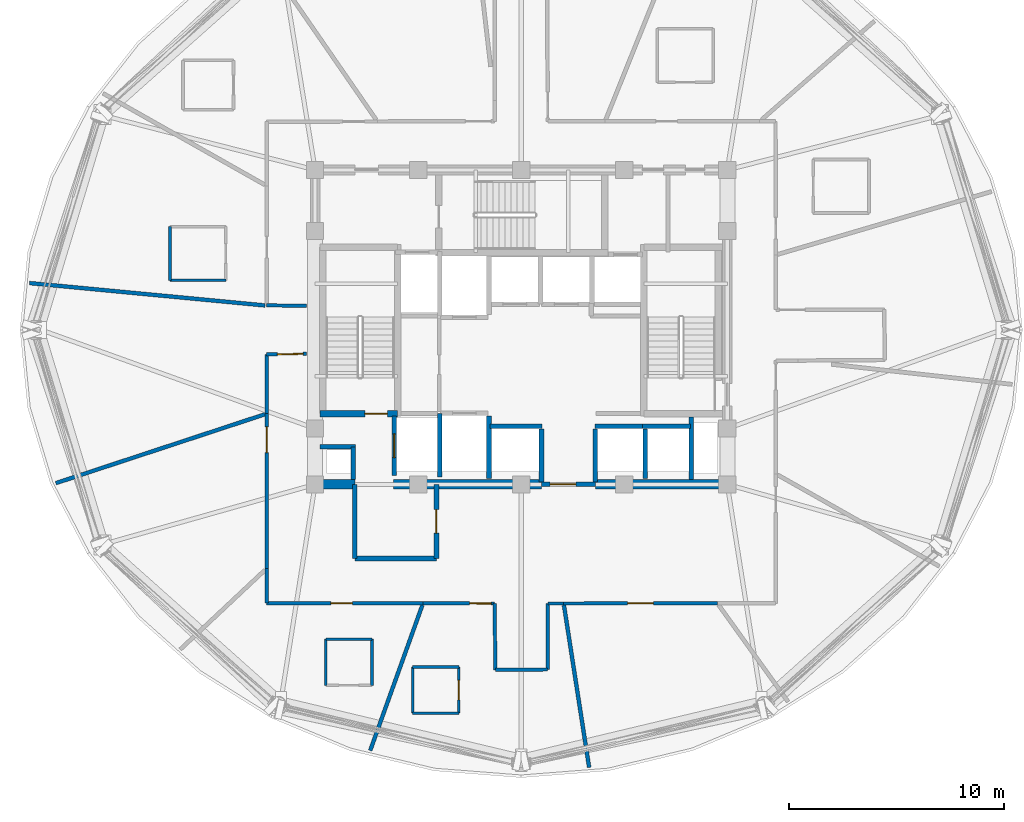
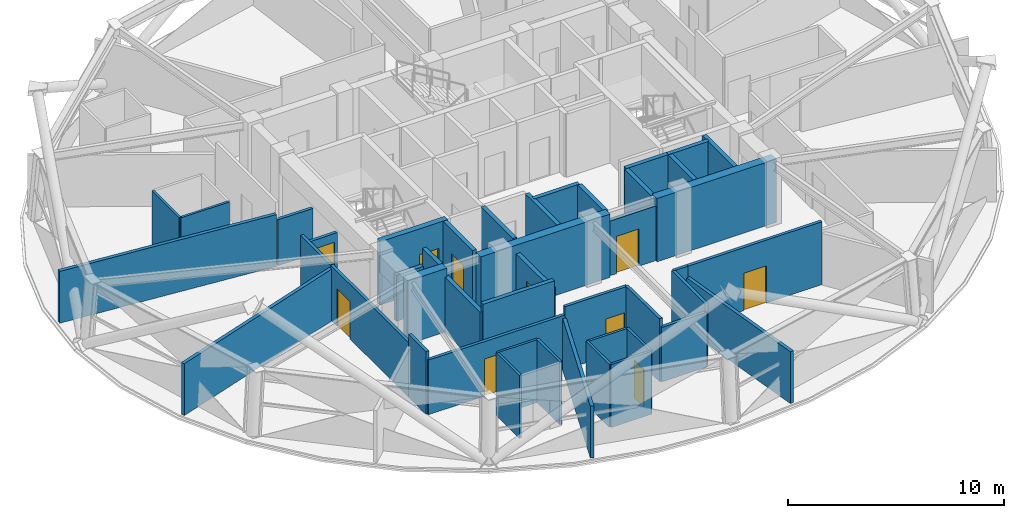
# One storey, part 5 of 12: 45 walls, 10 doors, 10 openings.
"""IFC4 building model written with IfcOpenShell, lengths in metres."""

from ifc_helpers import new_model, si_unit, direction, frame, frame_2d, origin, place, context, subcontext, project, spatial, rectangle, extrude, material, layer, layer_set, type_object, element, fill, save


model = new_model("IFC4")

# Units and contexts
model_context = context("Model", 3, precision=1e-05, world=origin(), true_north=direction((0.0, 1.0)))
body_context = subcontext(model_context, "Body", "Model", "MODEL_VIEW")
ifc_project = project(units=[si_unit("LENGTHUNIT", "METRE"), si_unit("AREAUNIT", "SQUARE_METRE"), si_unit("VOLUMEUNIT", "CUBIC_METRE"), si_unit("PLANEANGLEUNIT", "RADIAN"), si_unit("MASSUNIT", "GRAM", prefix="KILO")], contexts=[model_context])

# Site, building, storey
site_placement = place(None, origin())
site = spatial("IfcSite", under=ifc_project, at=site_placement, CompositionType="ELEMENT")
building_placement = place(site_placement, origin())
building = spatial("IfcBuilding", under=site, at=building_placement, Name="Vantalir Tower", CompositionType="ELEMENT")
storey_placement = place(building_placement, frame((0.0, 0.0, 197.39990234375)))
storey = spatial("IfcBuildingStorey", under=building, at=storey_placement, Name="L49", CompositionType="ELEMENT", Elevation=197.39990234375)

# Walls
ifc_material_1 = material(Name="Moisture-resistant en-suite partition", Category="gypsum")
ifc_layer_1 = layer(ifc_material_1, 0.125)
ifc_layer_set_1 = layer_set([ifc_layer_1], Name="Moisture-resistant en-suite partition")
wall_type_1 = type_object("IfcWallType", Name="WL-BATH-125", PredefinedType="PARTITIONING", material=ifc_layer_set_1)
wall_1_placement = place(storey_placement, frame((15.135986328125, 27.30908203125, 0.0), z_axis=(0.0, 0.0, 1.0), x_axis=(1.0, 0.0, 0.0)))
element("IfcWall", 1, at=wall_1_placement, inside=storey, type_object=wall_type_1, Name="L49 En-suite 06 South Wall", PredefinedType="PARTITIONING", context=body_context, shape_type="SweptSolid", body=[
    extrude(rectangle(XDim=2.60009765625, YDim=0.125, at=frame_2d((1.300048828125, 0.0))), origin(), (0.0, 0.0, 1.0), 3.550048828125),
])
wall_2_placement = place(storey_placement, frame((15.135986328125, 27.30908203125, 0.0), z_axis=(0.0, 0.0, 1.0), x_axis=(0.0, 1.0, 0.0)))
element("IfcWall", 2, at=wall_2_placement, inside=storey, type_object=wall_type_1, Name="L49 En-suite 06 West Wall", PredefinedType="PARTITIONING", context=body_context, shape_type="SweptSolid", body=[
    extrude(rectangle(XDim=2.5, YDim=0.125, at=frame_2d((1.25, 0.0))), origin(), (0.0, 0.0, 1.0), 3.550048828125),
])
for number, where, z_axis, x_axis, name in (
    (3, (22.39697265625, 10.591064453125, 0.0), (0.0, 0.0, 1.0), (1.0, 0.0, 0.0), "L49 En-suite 09 North Wall"),
    (4, (22.39697265625, 8.44091796875, 0.0), (0.0, 0.0, 1.0), (0.0, 1.0, 0.0), "L49 En-suite 09 West Wall"),
    (5, (24.547119140625, 8.44091796875, 0.0), (0.0, 0.0, 1.0), (0.0, 1.0, 0.0), "L49 En-suite 09 East Wall"),
    (6, (26.44189453125, 7.137939453125, 0.0), (0.0, 0.0, 1.0), (1.0, 0.0, 0.0), "L49 En-suite 10 South Wall"),
    (7, (26.44189453125, 9.2880859375, 0.0), (0.0, 0.0, 1.0), (1.0, 0.0, 0.0), "L49 En-suite 10 North Wall"),
    (8, (26.44189453125, 7.137939453125, 0.0), (0.0, 0.0, 1.0), (0.0, 1.0, 0.0), "L49 En-suite 10 West Wall"),
):
    element("IfcWall", number, at=place(storey_placement, frame(where, z_axis=z_axis, x_axis=x_axis)), inside=storey, type_object=wall_type_1, Name=name, PredefinedType="PARTITIONING", context=body_context, shape_type="SweptSolid", body=[
        extrude(rectangle(XDim=2.150146484375, YDim=0.125, at=frame_2d((1.0751953125, 0.0))), origin(), (0.0, 0.0, 1.0), 3.550048828125),
    ])

# Wall, opening, door
wall_3_placement = place(storey_placement, frame((28.592041015625, 7.137939453125, 0.0), z_axis=(0.0, 0.0, 1.0), x_axis=(0.0, 1.0, 0.0)))
wall_3 = element("IfcWall", 9, at=wall_3_placement, inside=storey, type_object=wall_type_1, Name="L49 En-suite 10 East Wall", PredefinedType="PARTITIONING", context=body_context, shape_type="SweptSolid", body=[
    extrude(rectangle(XDim=2.150146484375, YDim=0.125, at=frame_2d((1.0751953125, 0.0))), origin(), (0.0, 0.0, 1.0), 3.550048828125),
])
opening_1_placement = place(wall_3_placement, frame((0.625, 0.0, 0.0)))
opening_1 = element("IfcOpeningElement", 10, at=opening_1_placement, cuts=wall_3, Name="Opening D-WC", PredefinedType="OPENING", context=body_context, shape_type="SweptSolid", body=[
    extrude(rectangle(XDim=0.89990234375, YDim=2.10009765625, at=frame_2d((0.449951171875, 1.050048828125))), frame((0.0, 0.072509765625, 0.0), z_axis=(0.0, -1.0, 0.0), x_axis=(1.0, 0.0, 0.0)), (0.0, 0.0, 1.0), 0.14501953125),
])
ifc_material_2 = material(Name="Moisture-resistant hardwood door", Category="wood")
door_type_1 = type_object("IfcDoorType", Name="DR-ENSUITE-900", OperationType="NOTDEFINED", PredefinedType="DOOR", material=ifc_material_2)
door_1_placement = place(opening_1_placement, origin())
door_1 = element("IfcDoor", 11, at=door_1_placement, inside=storey, type_object=door_type_1, Name="L49 En-suite 10 Door", OperationType="SINGLE_SWING_RIGHT", OverallHeight=2.10009765625, OverallWidth=0.89990234375, PredefinedType="DOOR", context=body_context, shape_type="SweptSolid", body=[
    extrude(rectangle(XDim=0.89990234375, YDim=2.10009765625, at=frame_2d((0.449951171875, 1.050048828125))), frame((0.0, 0.02490234375, 0.0), z_axis=(0.0, -1.0, 0.0), x_axis=(1.0, 0.0, 0.0)), (0.0, 0.0, 1.0), 0.050048828125),
])
fill(opening_1, door_1)

# Walls
ifc_material_3 = material(Name="Concrete C50/60", Category="concrete")
ifc_layer_2 = layer(ifc_material_3, 0.449951171875)
ifc_layer_set_2 = layer_set([ifc_layer_2], Name="Concrete C50/60")
wall_type_2 = type_object("IfcWallType", Name="WL-CORE-450", PredefinedType="SHEAR", material=ifc_layer_set_2)
wall_4_placement = place(storey_placement, frame((21.675048828125, 17.800048828125, 0.0), z_axis=(0.0, 0.0, 1.0), x_axis=(1.0, 0.0, 0.0)))
element("IfcWall", 12, at=wall_4_placement, inside=storey, type_object=wall_type_2, Name="L49 Core Shear Wall South-West", PredefinedType="SHEAR", context=body_context, shape_type="SweptSolid", body=[
    extrude(rectangle(XDim=2.074951171875, YDim=0.449951171875, at=frame_2d((1.03759765625, 0.0))), origin(), (0.0, 0.0, 1.0), 3.570068359375),
])
wall_5_placement = place(storey_placement, frame((25.550048828125, 17.800048828125, 0.0), z_axis=(0.0, 0.0, 1.0), x_axis=(1.0, 0.0, 0.0)))
element("IfcWall", 13, at=wall_5_placement, inside=storey, type_object=wall_type_2, Name="L49 Core Shear Wall South-Mid", PredefinedType="SHEAR", context=body_context, shape_type="SweptSolid", body=[
    extrude(rectangle(XDim=6.89990234375, YDim=0.449951171875, at=frame_2d((3.449951171875, 0.0))), origin(), (0.0, 0.0, 1.0), 3.570068359375),
])
wall_6_placement = place(storey_placement, frame((34.949951171875, 17.800048828125, 0.0), z_axis=(0.0, 0.0, 1.0), x_axis=(1.0, 0.0, 0.0)))
element("IfcWall", 14, at=wall_6_placement, inside=storey, type_object=wall_type_2, Name="L49 Core Shear Wall South-East", PredefinedType="SHEAR", context=body_context, shape_type="SweptSolid", body=[
    extrude(rectangle(XDim=6.375, YDim=0.449951171875, at=frame_2d((3.1875, 0.0))), origin(), (0.0, 0.0, 1.0), 3.570068359375),
])
ifc_material_4 = material(Name="Fire-rated hotel corridor acoustic partition", Category="gypsum")
ifc_layer_3 = layer(ifc_material_4, 0.159912109375)
ifc_layer_set_3 = layer_set([ifc_layer_3], Name="Fire-rated hotel corridor acoustic partition")
wall_type_3 = type_object("IfcWallType", Name="WL-CORR-160", PredefinedType="PARTITIONING", material=ifc_layer_set_3)
wall_7_placement = place(storey_placement, frame((21.4951171875, 26.116943359375, 0.0), z_axis=(0.0, 0.0, 1.0), x_axis=(-0.999908537082, 0.013524698532, 0.0)))
element("IfcWall", 15, at=wall_7_placement, inside=storey, type_object=wall_type_3, Name="L49 Corridor Partition 01", PredefinedType="PARTITIONING", context=body_context, shape_type="SweptSolid", body=[
    extrude(rectangle(XDim=1.859375, YDim=0.159912109375, at=frame_2d((0.9296875, 0.0))), origin(), (0.0, 0.0, 1.0), 2.59521484375),
])

# Wall, opening, door
wall_8_placement = place(storey_placement, frame((40.64306640625, 12.257080078125, 0.0), z_axis=(0.0, 0.0, 1.0), x_axis=(-0.999999636981, -0.000852078764, 0.0)))
wall_8 = element("IfcWall", 16, at=wall_8_placement, inside=storey, type_object=wall_type_3, Name="L49 Corridor Partition 22", PredefinedType="PARTITIONING", context=body_context, shape_type="SweptSolid", body=[
    extrude(rectangle(XDim=7.1630859375, YDim=0.159912109375, at=frame_2d((3.58154296875, 0.0))), origin(), (0.0, 0.0, 1.0), 3.550048828125),
])
opening_2_placement = place(wall_8_placement, frame((2.98193359375, 0.0, 0.0)))
opening_2 = element("IfcOpeningElement", 17, at=opening_2_placement, cuts=wall_8, Name="Opening D-STE", PredefinedType="OPENING", context=body_context, shape_type="SweptSolid", body=[
    extrude(rectangle(XDim=1.199951171875, YDim=2.10009765625, at=frame_2d((0.60009765625, 1.050048828125))), frame((0.0, 0.08984375, 0.0), z_axis=(0.0, -1.0, 0.0), x_axis=(1.0, 0.0, 0.0)), (0.0, 0.0, 1.0), 0.179931640625),
])
ifc_material_5 = material(Name="Solid-core teak veneer suite entrance door", Category="wood")
door_type_2 = type_object("IfcDoorType", Name="DR-SUITE-ENTRY-1200", OperationType="NOTDEFINED", PredefinedType="DOOR", material=ifc_material_5)
door_2_placement = place(opening_2_placement, origin())
door_2 = element("IfcDoor", 18, at=door_2_placement, inside=storey, type_object=door_type_2, Name="L49 Club Reading Lounge 11 Door", OperationType="SINGLE_SWING_RIGHT", OverallHeight=2.10009765625, OverallWidth=1.199951171875, PredefinedType="DOOR", context=body_context, shape_type="SweptSolid", body=[
    extrude(rectangle(XDim=1.199951171875, YDim=2.10009765625, at=frame_2d((0.60009765625, 1.050048828125))), frame((0.0, 0.02490234375, 0.0), z_axis=(0.0, -1.0, 0.0), x_axis=(1.0, 0.0, 0.0)), (0.0, 0.0, 1.0), 0.050048828125),
])
fill(opening_2, door_2)

# Walls
wall_9_placement = place(storey_placement, frame((33.47998046875, 12.2509765625, 0.0), z_axis=(0.0, 0.0, 1.0), x_axis=(-0.999999129202, -0.001319695321, 0.0)))
element("IfcWall", 19, at=wall_9_placement, inside=storey, type_object=wall_type_3, Name="L49 Corridor Partition 23", PredefinedType="PARTITIONING", context=body_context, shape_type="SweptSolid", body=[
    extrude(rectangle(XDim=0.739990234375, YDim=0.159912109375, at=frame_2d((0.3701171875, 0.0))), origin(), (0.0, 0.0, 1.0), 3.550048828125),
])
wall_10_placement = place(storey_placement, frame((32.739990234375, 12.25, 0.0), z_axis=(0.0, 0.0, 1.0), x_axis=(-0.002937661004, -0.999995685065, 0.0)))
element("IfcWall", 20, at=wall_10_placement, inside=storey, type_object=wall_type_3, Name="L49 Corridor Partition 24", PredefinedType="PARTITIONING", context=body_context, shape_type="SweptSolid", body=[
    extrude(rectangle(XDim=3.074951171875, YDim=0.159912109375, at=frame_2d((1.53759765625, 0.0))), origin(), (0.0, 0.0, 1.0), 3.550048828125),
])
wall_11_placement = place(storey_placement, frame((32.73095703125, 9.175048828125, 0.0), z_axis=(0.0, 0.0, 1.0), x_axis=(-0.999980680225, -0.006216041926, 0.0)))
element("IfcWall", 21, at=wall_11_placement, inside=storey, type_object=wall_type_3, Name="L49 Corridor Partition 25", PredefinedType="PARTITIONING", context=body_context, shape_type="SweptSolid", body=[
    extrude(rectangle(XDim=2.43505859375, YDim=0.159912109375, at=frame_2d((1.217529296875, 0.0))), origin(), (0.0, 0.0, 1.0), 3.0810546875),
])
wall_12_placement = place(storey_placement, frame((30.2958984375, 9.159912109375, 0.0), z_axis=(0.0, 0.0, 1.0), x_axis=(-0.011613343347, 0.999932562854, 0.0)))
element("IfcWall", 22, at=wall_12_placement, inside=storey, type_object=wall_type_3, Name="L49 Corridor Partition 26", PredefinedType="PARTITIONING", context=body_context, shape_type="SweptSolid", body=[
    extrude(rectangle(XDim=3.09033203125, YDim=0.159912109375, at=frame_2d((1.545166015625, 0.0))), origin(), (0.0, 0.0, 1.0), 3.550048828125),
])

# Wall, opening, door
wall_13_placement = place(storey_placement, frame((30.260009765625, 12.25, 0.0), z_axis=(0.0, 0.0, 1.0), x_axis=(-0.999997745151, 0.002123603882, 0.0)))
wall_13 = element("IfcWall", 23, at=wall_13_placement, inside=storey, type_object=wall_type_3, Name="L49 Corridor Partition 27", PredefinedType="PARTITIONING", context=body_context, shape_type="SweptSolid", body=[
    extrude(rectangle(XDim=3.333984375, YDim=0.159912109375, at=frame_2d((1.6669921875, 0.0))), origin(), (0.0, 0.0, 1.0), 3.550048828125),
])
opening_3_placement = place(wall_13_placement, frame((0.159912109375, 0.0, 0.0)))
opening_3 = element("IfcOpeningElement", 24, at=opening_3_placement, cuts=wall_13, Name="Opening D-GUEST", PredefinedType="OPENING", context=body_context, shape_type="SweptSolid", body=[
    extrude(rectangle(XDim=1.0, YDim=2.10009765625, at=frame_2d((0.5, 1.050048828125))), frame((0.0, 0.08984375, 0.0), z_axis=(0.0, -1.0, 0.0), x_axis=(1.0, 0.0, 0.0)), (0.0, 0.0, 1.0), 0.179931640625),
])
ifc_material_6 = material(Name="Solid-core teak veneer acoustic fire door", Category="wood")
door_type_3 = type_object("IfcDoorType", Name="DR-GUEST-ENTRY-1000", OperationType="NOTDEFINED", PredefinedType="DOOR", material=ifc_material_6)
door_3_placement = place(opening_3_placement, origin())
door_3 = element("IfcDoor", 25, at=door_3_placement, inside=storey, type_object=door_type_3, Name="L49 Deluxe King Hotel Room 10 Door", OperationType="SINGLE_SWING_LEFT", OverallHeight=2.10009765625, OverallWidth=1.0, PredefinedType="DOOR", context=body_context, shape_type="SweptSolid", body=[
    extrude(rectangle(XDim=1.0, YDim=2.10009765625, at=frame_2d((0.5, 1.050048828125))), frame((0.0, 0.02490234375, 0.0), z_axis=(0.0, -1.0, 0.0), x_axis=(1.0, 0.0, 0.0)), (0.0, 0.0, 1.0), 0.050048828125),
])
fill(opening_3, door_3)

wall_14_placement = place(storey_placement, frame((26.926025390625, 12.257080078125, 0.0), z_axis=(0.0, 0.0, 1.0), x_axis=(-0.999998176086, 0.001909928161, 0.0)))
wall_14 = element("IfcWall", 26, at=wall_14_placement, inside=storey, type_object=wall_type_3, Name="L49 Corridor Partition 28", PredefinedType="PARTITIONING", context=body_context, shape_type="SweptSolid", body=[
    extrude(rectangle(XDim=7.2861328125, YDim=0.159912109375, at=frame_2d((3.64306640625, 0.0))), origin(), (0.0, 0.0, 1.0), 3.0810546875),
])
opening_4_placement = place(wall_14_placement, frame((3.2919921875, 0.0, 0.0)))
opening_4 = element("IfcOpeningElement", 27, at=opening_4_placement, cuts=wall_14, Name="Opening D-GUEST", PredefinedType="OPENING", context=body_context, shape_type="SweptSolid", body=[
    extrude(rectangle(XDim=1.0, YDim=2.10009765625, at=frame_2d((0.5, 1.050048828125))), frame((0.0, 0.08984375, 0.0), z_axis=(0.0, -1.0, 0.0), x_axis=(1.0, 0.0, 0.0)), (0.0, 0.0, 1.0), 0.179931640625),
])
door_4_placement = place(opening_4_placement, origin())
door_4 = element("IfcDoor", 28, at=door_4_placement, inside=storey, type_object=door_type_3, Name="L49 Twin Queen Hotel Room 09 Door", OperationType="SINGLE_SWING_RIGHT", OverallHeight=2.10009765625, OverallWidth=1.0, PredefinedType="DOOR", context=body_context, shape_type="SweptSolid", body=[
    extrude(rectangle(XDim=1.0, YDim=2.10009765625, at=frame_2d((0.5, 1.050048828125))), frame((0.0, 0.02490234375, 0.0), z_axis=(0.0, -1.0, 0.0), x_axis=(1.0, 0.0, 0.0)), (0.0, 0.0, 1.0), 0.050048828125),
])
fill(opening_4, door_4)

# Wall
wall_15_placement = place(storey_placement, frame((19.639892578125, 12.27099609375, 0.0), z_axis=(0.0, 0.0, 1.0), x_axis=(-0.000605785138, 0.999999816512, 0.0)))
element("IfcWall", 29, at=wall_15_placement, inside=storey, type_object=wall_type_3, Name="L49 Corridor Partition 29", PredefinedType="PARTITIONING", context=body_context, shape_type="SweptSolid", body=[
    extrude(rectangle(XDim=1.612060546875, YDim=0.159912109375, at=frame_2d((0.80615234375, 0.0))), origin(), (0.0, 0.0, 1.0), 3.550048828125),
])

# Wall, opening, door
wall_16_placement = place(storey_placement, frame((19.638916015625, 13.883056640625, 0.0), z_axis=(0.0, 0.0, 1.0), x_axis=(-0.000406448957, 0.9999999174, 0.0)))
wall_16 = element("IfcWall", 30, at=wall_16_placement, inside=storey, type_object=wall_type_3, Name="L49 Corridor Partition 30", PredefinedType="PARTITIONING", context=body_context, shape_type="SweptSolid", body=[
    extrude(rectangle(XDim=7.2080078125, YDim=0.159912109375, at=frame_2d((3.60400390625, 0.0))), origin(), (0.0, 0.0, 1.0), 3.0810546875),
])
opening_5_placement = place(wall_16_placement, frame((5.39892578125, 0.0, 0.0)))
opening_5 = element("IfcOpeningElement", 31, at=opening_5_placement, cuts=wall_16, Name="Opening D-STE", PredefinedType="OPENING", context=body_context, shape_type="SweptSolid", body=[
    extrude(rectangle(XDim=1.199951171875, YDim=2.10009765625, at=frame_2d((0.60009765625, 1.050048828125))), frame((0.0, 0.08984375, 0.0), z_axis=(0.0, -1.0, 0.0), x_axis=(1.0, 0.0, 0.0)), (0.0, 0.0, 1.0), 0.179931640625),
])
door_5_placement = place(opening_5_placement, origin())
door_5 = element("IfcDoor", 32, at=door_5_placement, inside=storey, type_object=door_type_2, Name="L49 Executive Sky Boardroom 08 Door", OperationType="SINGLE_SWING_LEFT", OverallHeight=2.10009765625, OverallWidth=1.199951171875, PredefinedType="DOOR", context=body_context, shape_type="SweptSolid", body=[
    extrude(rectangle(XDim=1.199951171875, YDim=2.10009765625, at=frame_2d((0.60009765625, 1.050048828125))), frame((0.0, 0.02490234375, 0.0), z_axis=(0.0, -1.0, 0.0), x_axis=(1.0, 0.0, 0.0)), (0.0, 0.0, 1.0), 0.050048828125),
])
fill(opening_5, door_5)

# Wall
wall_17_placement = place(storey_placement, frame((19.635986328125, 21.091064453125, 0.0), z_axis=(0.0, 0.0, 1.0), x_axis=(-0.000353450539, 0.999999937536, 0.0)))
element("IfcWall", 33, at=wall_17_placement, inside=storey, type_object=wall_type_3, Name="L49 Corridor Partition 31", PredefinedType="PARTITIONING", context=body_context, shape_type="SweptSolid", body=[
    extrude(rectangle(XDim=2.762939453125, YDim=0.159912109375, at=frame_2d((1.38134765625, 0.0))), origin(), (0.0, 0.0, 1.0), 3.0810546875),
])

# Wall, opening, door
wall_18_placement = place(storey_placement, frame((19.635009765625, 23.85400390625, 0.0), z_axis=(0.0, 0.0, 1.0), x_axis=(0.999886107392, 0.015092125259, 0.0)))
wall_18 = element("IfcWall", 34, at=wall_18_placement, inside=storey, type_object=wall_type_3, Name="L49 Corridor Partition 32", PredefinedType="PARTITIONING", context=body_context, shape_type="SweptSolid", body=[
    extrude(rectangle(XDim=1.8603515625, YDim=0.159912109375, at=frame_2d((0.93017578125, 0.0))), origin(), (0.0, 0.0, 1.0), 2.59521484375),
])
opening_6_placement = place(wall_18_placement, frame((0.5, 0.0, 0.0)))
opening_6 = element("IfcOpeningElement", 35, at=opening_6_placement, cuts=wall_18, Name="Opening D-STE", PredefinedType="OPENING", context=body_context, shape_type="SweptSolid", body=[
    extrude(rectangle(XDim=1.199951171875, YDim=2.10009765625, at=frame_2d((0.60009765625, 1.050048828125))), frame((0.0, 0.08984375, 0.0), z_axis=(0.0, -1.0, 0.0), x_axis=(1.0, 0.0, 0.0)), (0.0, 0.0, 1.0), 0.179931640625),
])
door_6_placement = place(opening_6_placement, origin())
door_6 = element("IfcDoor", 36, at=door_6_placement, inside=storey, type_object=door_type_2, Name="L49 Club Reading Lounge 07 Door", OperationType="SINGLE_SWING_RIGHT", OverallHeight=2.10009765625, OverallWidth=1.199951171875, PredefinedType="DOOR", context=body_context, shape_type="SweptSolid", body=[
    extrude(rectangle(XDim=1.199951171875, YDim=2.10009765625, at=frame_2d((0.60009765625, 1.050048828125))), frame((0.0, 0.02490234375, 0.0), z_axis=(0.0, -1.0, 0.0), x_axis=(1.0, 0.0, 0.0)), (0.0, 0.0, 1.0), 0.050048828125),
])
fill(opening_6, door_6)

# Walls
ifc_material_7 = material(Name="Concrete blockwork with fireboard lining", Category="masonry")
ifc_layer_4 = layer(ifc_material_7, 0.219970703125)
ifc_layer_set_4 = layer_set([ifc_layer_4], Name="Concrete blockwork with fireboard lining")
wall_type_4 = type_object("IfcWallType", Name="WL-FFL-220", PredefinedType="PARTITIONING", material=ifc_layer_set_4)
wall_19_placement = place(storey_placement, frame((30.0, 18.080078125, 0.0), z_axis=(0.0, 0.0, 1.0), x_axis=(0.0, 1.0, 0.0)))
element("IfcWall", 37, at=wall_19_placement, inside=storey, type_object=wall_type_4, Name="L49 Service Lift SV1 East Shaft Wall", PredefinedType="PARTITIONING", context=body_context, shape_type="SweptSolid", body=[
    extrude(rectangle(XDim=2.89990234375, YDim=0.219970703125, at=frame_2d((1.449951171875, 0.0))), origin(), (0.0, 0.0, 1.0), 3.545166015625),
])
for number, where, z_axis, x_axis, name in (
    (38, (32.449951171875, 17.919921875, 0.0), (0.0, 0.0, 1.0), (0.0, 1.0, 0.0), "L49 Shuttle Lift PL-X1 East Shaft Cheek"),
    (39, (34.949951171875, 17.919921875, 0.0), (0.0, 0.0, 1.0), (0.0, 1.0, 0.0), "L49 Shuttle Lift PL-X3 West Shaft Cheek"),
):
    element("IfcWall", number, at=place(storey_placement, frame(where, z_axis=z_axis, x_axis=x_axis)), inside=storey, type_object=wall_type_4, Name=name, PredefinedType="PARTITIONING", context=body_context, shape_type="SweptSolid", body=[
        extrude(rectangle(XDim=2.469970703125, YDim=0.219970703125, at=frame_2d((1.23486328125, 0.0))), origin(), (0.0, 0.0, 1.0), 3.545166015625),
    ])
wall_20_placement = place(storey_placement, frame((37.27490234375, 18.080078125, 0.0), z_axis=(0.0, 0.0, 1.0), x_axis=(0.0, 1.0, 0.0)))
element("IfcWall", 40, at=wall_20_placement, inside=storey, type_object=wall_type_4, Name="L49 Shuttle Lift PL-X2/X3 Shaft Divider", PredefinedType="PARTITIONING", context=body_context, shape_type="SweptSolid", body=[
    extrude(rectangle(XDim=2.309814453125, YDim=0.219970703125, at=frame_2d((1.15478515625, 0.0))), origin(), (0.0, 0.0, 1.0), 3.545166015625),
])

# Wall, opening, door
wall_21_placement = place(storey_placement, frame((32.449951171875, 17.800048828125, 0.0), z_axis=(0.0, 0.0, 1.0), x_axis=(1.0, 0.0, 0.0)))
wall_21 = element("IfcWall", 41, at=wall_21_placement, inside=storey, type_object=wall_type_4, Name="L49 Passenger Lift Lobby South Wall", PredefinedType="PARTITIONING", context=body_context, shape_type="SweptSolid", body=[
    extrude(rectangle(XDim=2.5, YDim=0.219970703125, at=frame_2d((1.25, 0.0))), origin(), (0.0, 0.0, 1.0), 3.0810546875),
])
opening_7_placement = place(wall_21_placement, frame((0.39990234375, 0.0, 0.0)))
opening_7 = element("IfcOpeningElement", 42, at=opening_7_placement, cuts=wall_21, Name="Opening D-STE", PredefinedType="OPENING", context=body_context, shape_type="SweptSolid", body=[
    extrude(rectangle(XDim=1.199951171875, YDim=2.10009765625, at=frame_2d((0.60009765625, 1.050048828125))), frame((0.0, 0.119873046875, 0.0), z_axis=(0.0, -1.0, 0.0), x_axis=(1.0, 0.0, 0.0)), (0.0, 0.0, 1.0), 0.239990234375),
])
door_7_placement = place(opening_7_placement, origin())
door_7 = element("IfcDoor", 43, at=door_7_placement, inside=storey, type_object=door_type_2, Name="L49 Passenger Lift Lobby Concourse Door", OperationType="SINGLE_SWING_RIGHT", OverallHeight=2.10009765625, OverallWidth=1.199951171875, PredefinedType="DOOR", context=body_context, shape_type="SweptSolid", body=[
    extrude(rectangle(XDim=1.199951171875, YDim=2.10009765625, at=frame_2d((0.60009765625, 1.050048828125))), frame((0.0, 0.02490234375, 0.0), z_axis=(0.0, -1.0, 0.0), x_axis=(1.0, 0.0, 0.0)), (0.0, 0.0, 1.0), 0.050048828125),
])
fill(opening_7, door_7)

# Walls
wall_22_placement = place(storey_placement, frame((23.679931640625, 18.02490234375, 0.0), z_axis=(0.0, 0.0, 1.0), x_axis=(0.0, 1.0, 0.0)))
element("IfcWall", 44, at=wall_22_placement, inside=storey, type_object=wall_type_4, Name="L49 West MEP Riser Wall E", PredefinedType="PARTITIONING", context=body_context, shape_type="SweptSolid", body=[
    extrude(rectangle(XDim=1.525146484375, YDim=0.219970703125, at=frame_2d((0.7626953125, 0.0))), origin(), (0.0, 0.0, 1.0), 3.550048828125),
])
wall_23_placement = place(storey_placement, frame((22.125, 19.550048828125, 0.0), z_axis=(0.0, 0.0, 1.0), x_axis=(1.0, 0.0, 0.0)))
element("IfcWall", 45, at=wall_23_placement, inside=storey, type_object=wall_type_4, Name="L49 West MEP Riser Wall N", PredefinedType="PARTITIONING", context=body_context, shape_type="SweptSolid", body=[
    extrude(rectangle(XDim=1.6650390625, YDim=0.219970703125, at=frame_2d((0.83251953125, 0.0))), origin(), (0.0, 0.0, 1.0), 2.59521484375),
])
wall_24_placement = place(storey_placement, frame((39.419921875, 18.02490234375, 0.0), z_axis=(0.0, 0.0, 1.0), x_axis=(0.0, 1.0, 0.0)))
element("IfcWall", 46, at=wall_24_placement, inside=storey, type_object=wall_type_4, Name="L49 East MEP Riser Wall W", PredefinedType="PARTITIONING", context=body_context, shape_type="SweptSolid", body=[
    extrude(rectangle(XDim=2.925048828125, YDim=0.219970703125, at=frame_2d((1.46240234375, 0.0))), origin(), (0.0, 0.0, 1.0), 3.550048828125),
])

# Wall, opening, door
wall_25_placement = place(storey_placement, frame((25.590087890625, 18.219970703125, 0.0), z_axis=(0.0, 0.0, 1.0), x_axis=(0.0, 1.0, 0.0)))
wall_25 = element("IfcWall", 47, at=wall_25_placement, inside=storey, type_object=wall_type_4, Name="L49 Lift FL1 Shaft Front Wall", PredefinedType="PARTITIONING", context=body_context, shape_type="SweptSolid", body=[
    extrude(rectangle(XDim=2.760009765625, YDim=0.219970703125, at=frame_2d((1.3798828125, 0.0))), origin(), (0.0, 0.0, 1.0), 3.550048828125),
])
opening_8_placement = place(wall_25_placement, frame((0.830078125, 0.0, 0.0)))
opening_8 = element("IfcOpeningElement", 48, at=opening_8_placement, cuts=wall_25, Name="Opening LD-FL1", PredefinedType="OPENING", context=body_context, shape_type="SweptSolid", body=[
    extrude(rectangle(XDim=1.10009765625, YDim=2.199951171875, at=frame_2d((0.550048828125, 1.10009765625))), frame((0.0, 0.119873046875, 0.0), z_axis=(0.0, -1.0, 0.0), x_axis=(1.0, 0.0, 0.0)), (0.0, 0.0, 1.0), 0.239990234375),
])
ifc_material_8 = material(Name="Brushed stainless-steel sliding lift landing door", Category="steel")
door_type_4 = type_object("IfcDoorType", Name="DR-LIFT-LANDING-1100", OperationType="DOUBLE_DOOR_SLIDING", PredefinedType="DOOR", material=ifc_material_8)
door_8_placement = place(opening_8_placement, origin())
door_8 = element("IfcDoor", 49, at=door_8_placement, inside=storey, type_object=door_type_4, Name="L49 Lift Landing Door FL1", OperationType="DOUBLE_DOOR_SLIDING", OverallHeight=2.199951171875, OverallWidth=1.10009765625, PredefinedType="DOOR", context=body_context, shape_type="SweptSolid", body=[
    extrude(rectangle(XDim=1.10009765625, YDim=2.199951171875, at=frame_2d((0.550048828125, 1.10009765625))), frame((0.0, 0.02490234375, 0.0), z_axis=(0.0, -1.0, 0.0), x_axis=(1.0, 0.0, 0.0)), (0.0, 0.0, 1.0), 0.050048828125),
])
fill(opening_8, door_8)

# Walls
wall_26_placement = place(storey_placement, frame((30.0400390625, 20.510009765625, 0.0), z_axis=(0.0, 0.0, 1.0), x_axis=(1.0, 0.0, 0.0)))
element("IfcWall", 50, at=wall_26_placement, inside=storey, type_object=wall_type_4, Name="L49 Lift PL-X1 Shaft Front Wall", PredefinedType="PARTITIONING", context=body_context, shape_type="SweptSolid", body=[
    extrude(rectangle(XDim=2.419921875, YDim=0.219970703125, at=frame_2d((1.2099609375, 0.0))), origin(), (0.0, 0.0, 1.0), 3.550048828125),
])
for number, where, z_axis, x_axis, name in (
    (51, (37.139892578125, 20.510009765625, 0.0), (0.0, 0.0, 1.0), (1.0, 0.0, 0.0), "L49 Lift PL-X2 Shaft Rear Wall"),
    (52, (34.93994140625, 20.510009765625, 0.0), (0.0, 0.0, 1.0), (1.0, 0.0, 0.0), "L49 Lift PL-X3 Shaft Front Wall"),
):
    element("IfcWall", number, at=place(storey_placement, frame(where, z_axis=z_axis, x_axis=x_axis)), inside=storey, type_object=wall_type_4, Name=name, PredefinedType="PARTITIONING", context=body_context, shape_type="SweptSolid", body=[
        extrude(rectangle(XDim=2.239990234375, YDim=0.219970703125, at=frame_2d((1.1201171875, 0.0))), origin(), (0.0, 0.0, 1.0), 3.550048828125),
    ])
wall_27_placement = place(storey_placement, frame((27.699951171875, 18.14990234375, 0.0), z_axis=(0.0, 0.0, 1.0), x_axis=(0.0, 1.0, 0.0)))
element("IfcWall", 53, at=wall_27_placement, inside=storey, type_object=wall_type_4, Name="L49 Fire Lift FL1 Dividing Wall", PredefinedType="PARTITIONING", context=body_context, shape_type="SweptSolid", body=[
    extrude(rectangle(XDim=2.9501953125, YDim=0.219970703125, at=frame_2d((1.47509765625, 0.0))), origin(), (0.0, 0.0, 1.0), 3.550048828125),
])
wall_28_placement = place(storey_placement, frame((23.75, 14.35009765625, 0.0), z_axis=(0.0, 0.0, 1.0), x_axis=(0.0, 1.0, 0.0)))
element("IfcWall", 54, at=wall_28_placement, inside=storey, type_object=wall_type_4, Name="L49 Firefighting Lobby West Outer W", PredefinedType="PARTITIONING", context=body_context, shape_type="SweptSolid", body=[
    extrude(rectangle(XDim=3.449951171875, YDim=0.219970703125, at=frame_2d((1.72509765625, 0.0))), origin(), (0.0, 0.0, 1.0), 3.0810546875),
])
wall_29_placement = place(storey_placement, frame((23.75, 14.35009765625, 0.0), z_axis=(0.0, 0.0, 1.0), x_axis=(1.0, 0.0, 0.0)))
element("IfcWall", 55, at=wall_29_placement, inside=storey, type_object=wall_type_4, Name="L49 Firefighting Lobby West South Wall", PredefinedType="PARTITIONING", context=body_context, shape_type="SweptSolid", body=[
    extrude(rectangle(XDim=3.800048828125, YDim=0.219970703125, at=frame_2d((1.89990234375, 0.0))), origin(), (0.0, 0.0, 1.0), 3.550048828125),
])

# Wall, opening, door
wall_30_placement = place(storey_placement, frame((27.550048828125, 14.35009765625, 0.0), z_axis=(0.0, 0.0, 1.0), x_axis=(0.0, 1.0, 0.0)))
wall_30 = element("IfcWall", 56, at=wall_30_placement, inside=storey, type_object=wall_type_4, Name="L49 Firefighting Lobby West East Wall", PredefinedType="PARTITIONING", context=body_context, shape_type="SweptSolid", body=[
    extrude(rectangle(XDim=3.449951171875, YDim=0.219970703125, at=frame_2d((1.72509765625, 0.0))), origin(), (0.0, 0.0, 1.0), 3.0810546875),
])
opening_9_placement = place(wall_30_placement, frame((1.175048828125, 0.0, 0.0)))
opening_9 = element("IfcOpeningElement", 57, at=opening_9_placement, cuts=wall_30, Name="Opening D-FFL", PredefinedType="OPENING", context=body_context, shape_type="SweptSolid", body=[
    extrude(rectangle(XDim=1.10009765625, YDim=2.10009765625, at=frame_2d((0.550048828125, 1.050048828125))), frame((0.0, 0.119873046875, 0.0), z_axis=(0.0, -1.0, 0.0), x_axis=(1.0, 0.0, 0.0)), (0.0, 0.0, 1.0), 0.239990234375),
])
ifc_material_9 = material(Name="Fire-rated acoustic steel door", Category="steel")
door_type_5 = type_object("IfcDoorType", Name="DR-FIRE-LOBBY-1100", OperationType="NOTDEFINED", PredefinedType="DOOR", material=ifc_material_9)
door_9_placement = place(opening_9_placement, origin())
door_9 = element("IfcDoor", 58, at=door_9_placement, inside=storey, type_object=door_type_5, Name="L49 Firefighting Lobby West Access Door", OperationType="SINGLE_SWING_RIGHT", OverallHeight=2.10009765625, OverallWidth=1.10009765625, PredefinedType="DOOR", context=body_context, shape_type="SweptSolid", body=[
    extrude(rectangle(XDim=1.10009765625, YDim=2.10009765625, at=frame_2d((0.550048828125, 1.050048828125))), frame((0.0, 0.02490234375, 0.0), z_axis=(0.0, -1.0, 0.0), x_axis=(1.0, 0.0, 0.0)), (0.0, 0.0, 1.0), 0.050048828125),
])
fill(opening_9, door_9)

# Walls
ifc_material_10 = material(Name="Twin-stud acoustic fire-rated gypsum partition", Category="gypsum")
ifc_layer_5 = layer(ifc_material_10, 0.179931640625)
ifc_layer_set_5 = layer_set([ifc_layer_5], Name="Twin-stud acoustic fire-rated gypsum partition")
wall_type_5 = type_object("IfcWallType", Name="WL-GUEST-180", PredefinedType="PARTITIONING", material=ifc_layer_set_5)
wall_31_placement = place(storey_placement, frame((19.56103515625, 26.135986328125, 0.0), z_axis=(0.0, 0.0, 1.0), x_axis=(-0.995513373187, 0.094620948032, 0.0)))
element("IfcWall", 59, at=wall_31_placement, inside=storey, type_object=wall_type_5, Name="L49 Radial Suite Partition 07", PredefinedType="PARTITIONING", context=body_context, shape_type="SweptSolid", body=[
    extrude(rectangle(XDim=11.022705078125, YDim=0.179931640625, at=frame_2d((5.51123046875, 0.0))), origin(), (0.0, 0.0, 1.0), 2.925048828125),
])
wall_32_placement = place(storey_placement, frame((19.56005859375, 21.06591796875, 0.0), z_axis=(0.0, 0.0, 1.0), x_axis=(-0.949800437735, -0.312856402328, 0.0)))
element("IfcWall", 60, at=wall_32_placement, inside=storey, type_object=wall_type_5, Name="L49 Radial Suite Partition 08", PredefinedType="PARTITIONING", context=body_context, shape_type="SweptSolid", body=[
    extrude(rectangle(XDim=10.26025390625, YDim=0.179931640625, at=frame_2d((5.130126953125, 0.0))), origin(), (0.0, 0.0, 1.0), 2.925048828125),
])
wall_33_placement = place(storey_placement, frame((26.89599609375, 12.175048828125, 0.0), z_axis=(0.0, 0.0, 1.0), x_axis=(-0.337794657912, -0.941219830372, 0.0)))
element("IfcWall", 61, at=wall_33_placement, inside=storey, type_object=wall_type_5, Name="L49 Radial Suite Partition 10", PredefinedType="PARTITIONING", context=body_context, shape_type="SweptSolid", body=[
    extrude(rectangle(XDim=7.19921875, YDim=0.179931640625, at=frame_2d((3.599609375, 0.0))), origin(), (0.0, 0.0, 1.0), 2.925048828125),
])
wall_34_placement = place(storey_placement, frame((33.490966796875, 12.175048828125, 0.0), z_axis=(0.0, 0.0, 1.0), x_axis=(0.153487661085, -0.988150564385, 0.0)))
element("IfcWall", 62, at=wall_34_placement, inside=storey, type_object=wall_type_5, Name="L49 Radial Suite Partition 11", PredefinedType="PARTITIONING", context=body_context, shape_type="SweptSolid", body=[
    extrude(rectangle(XDim=7.65576171875, YDim=0.179931640625, at=frame_2d((3.827880859375, 0.0))), origin(), (0.0, 0.0, 1.0), 2.925048828125),
])

# Wall, opening, door
ifc_layer_6 = layer(ifc_material_3, 0.300048828125)
ifc_layer_set_6 = layer_set([ifc_layer_6], Name="Concrete C50/60")
wall_type_6 = type_object("IfcWallType", Name="WL-STAIR-300", PredefinedType="SHEAR", material=ifc_layer_set_6)
wall_35_placement = place(storey_placement, frame((22.125, 21.10009765625, 0.0), z_axis=(0.0, 0.0, 1.0), x_axis=(1.0, 0.0, 0.0)))
wall_35 = element("IfcWall", 63, at=wall_35_placement, inside=storey, type_object=wall_type_6, Name="L49 Stair ST1 South Wall", PredefinedType="SHEAR", context=body_context, shape_type="SweptSolid", body=[
    extrude(rectangle(XDim=3.614990234375, YDim=0.300048828125, at=frame_2d((1.8076171875, 0.0))), origin(), (0.0, 0.0, 1.0), 3.570068359375),
])
opening_10_placement = place(wall_35_placement, frame((2.094970703125, 0.0, 0.0)))
opening_10 = element("IfcOpeningElement", 64, at=opening_10_placement, cuts=wall_35, Name="Opening D-ST", PredefinedType="OPENING", context=body_context, shape_type="SweptSolid", body=[
    extrude(rectangle(XDim=1.050048828125, YDim=2.10009765625, at=frame_2d((0.52490234375, 1.050048828125))), frame((0.0, 0.159912109375, 0.0), z_axis=(0.0, -1.0, 0.0), x_axis=(1.0, 0.0, 0.0)), (0.0, 0.0, 1.0), 0.320068359375),
])
ifc_material_11 = material(Name="Fire-rated steel door leaf", Category="steel")
door_type_6 = type_object("IfcDoorType", Name="DR-FIRE-STAIR-1050", OperationType="NOTDEFINED", PredefinedType="DOOR", material=ifc_material_11)
door_10_placement = place(opening_10_placement, origin())
door_10 = element("IfcDoor", 65, at=door_10_placement, inside=storey, type_object=door_type_6, Name="L49 Exit Stair ST1 Fire Door", OperationType="SINGLE_SWING_RIGHT", OverallHeight=2.10009765625, OverallWidth=1.050048828125, PredefinedType="DOOR", context=body_context, shape_type="SweptSolid", body=[
    extrude(rectangle(XDim=1.050048828125, YDim=2.10009765625, at=frame_2d((0.52490234375, 1.050048828125))), frame((0.0, 0.02490234375, 0.0), z_axis=(0.0, -1.0, 0.0), x_axis=(1.0, 0.0, 0.0)), (0.0, 0.0, 1.0), 0.050048828125),
])
fill(opening_10, door_10)

save(model, "model.ifc")
